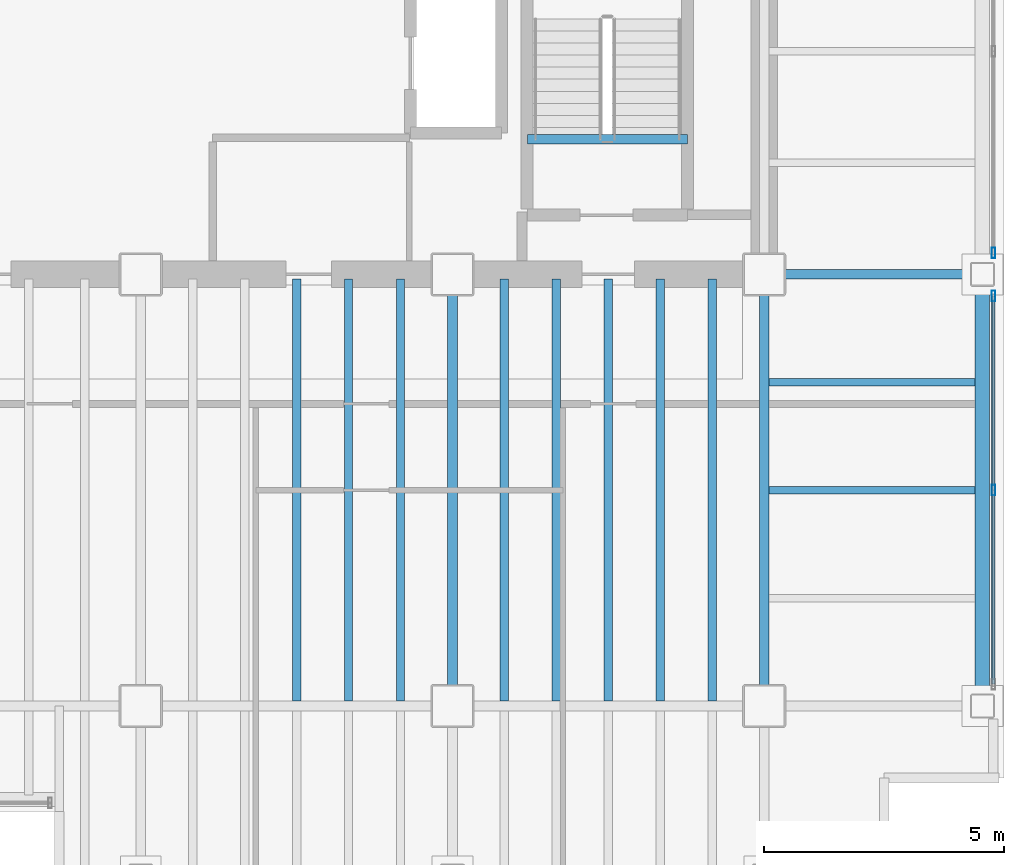
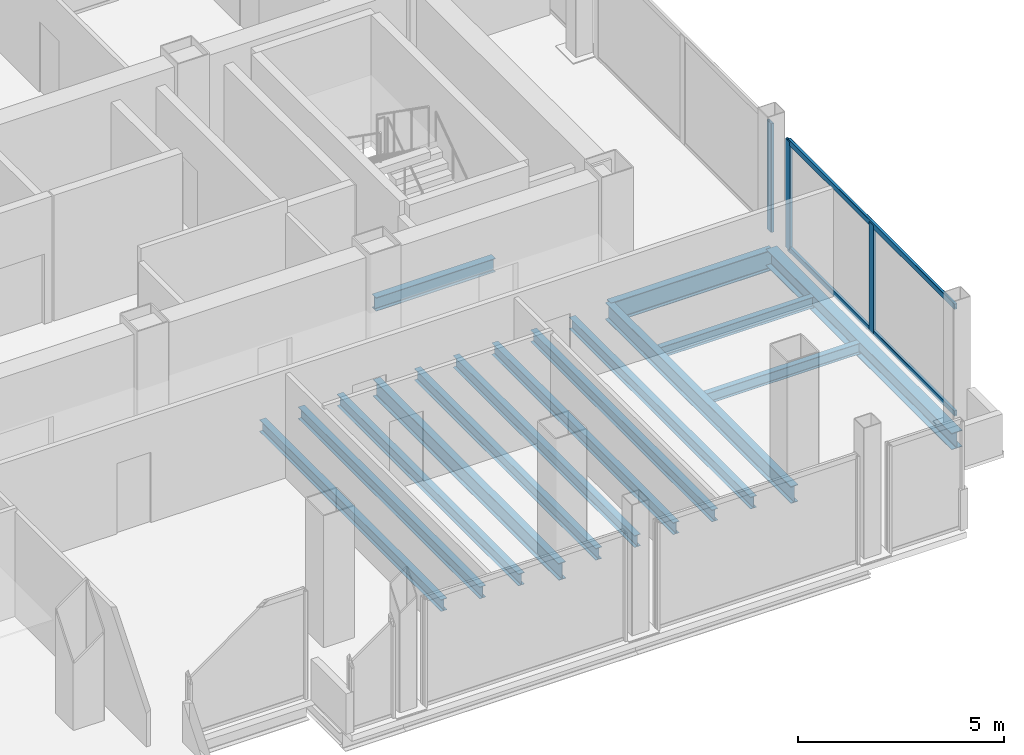
# One storey, part 12 of 19: 15 beams, 5 members, 2 elements without a shape of their own.
"""IFC4 building model written with IfcOpenShell, lengths in metres."""

from ifc_helpers import new_model, si_unit, direction, frame, origin, origin_2d, place, context, subcontext, project, spatial, hollow_rectangle, i_section, extrude, material, material_profile, profile_set, type_object, element, aggregate, save


model = new_model("IFC4")

# Units and contexts
model_context = context("Model", 3, precision=1e-05, world=origin(), true_north=direction((0.0, 1.0)))
body_context = subcontext(model_context, "Body", "Model", "MODEL_VIEW")
ifc_project = project(units=[si_unit("LENGTHUNIT", "METRE"), si_unit("AREAUNIT", "SQUARE_METRE"), si_unit("VOLUMEUNIT", "CUBIC_METRE"), si_unit("PLANEANGLEUNIT", "RADIAN"), si_unit("MASSUNIT", "GRAM", prefix="KILO")], contexts=[model_context])

# Site, building, storey
site_placement = place(None, origin())
site = spatial("IfcSite", under=ifc_project, at=site_placement, CompositionType="ELEMENT")
building_placement = place(site_placement, origin())
building = spatial("IfcBuilding", under=site, at=building_placement, Name="Noeulbin Bourse Tower", CompositionType="ELEMENT")
storey_placement = place(building_placement, frame((0.0, 0.0, 153.89990234375)))
storey = spatial("IfcBuildingStorey", under=building, at=storey_placement, Name="L38", CompositionType="ELEMENT", Elevation=153.89990234375)

# Beams
ifc_material_1 = material(Name="Steel S355", Category="steel")
ifc_material_profile_1 = material_profile(ifc_material_1, i_section(OverallWidth=0.199951171875, OverallDepth=0.5, WebThickness=0.010009765625, FlangeThickness=0.01611328125, FilletRadius=0.02001953125, at=origin_2d()), Name="H-500x200x10x16", Category="LoadBearing")
ifc_profile_set_1 = profile_set([ifc_material_profile_1], Name="Steel S355")
beam_type_1 = type_object("IfcBeamType", Name="BM-GRD-500", PredefinedType="USERDEFINED", material=ifc_profile_set_1)
for number, where, z_axis, x_axis, name in (
    (1, (37.5, 20.0, -0.429931640625), (0.0, 1.0, 0.0), (-1.0, 0.0, 0.0), "Tower Primary Girder NS L38-4.2"),
    (2, (44.0, 20.0, -0.429931640625), (0.0, 1.0, 0.0), (-1.0, 0.0, 0.0), "Tower Primary Girder NS L38-5.2"),
):
    element("IfcBeam", number, at=place(storey_placement, frame(where, z_axis=z_axis, x_axis=x_axis)), inside=storey, type_object=beam_type_1, Name=name, ObjectType="GIRDER", PredefinedType="USERDEFINED", context=body_context, shape_type="SweptSolid", body=[
        extrude(i_section(OverallWidth=0.199951171875, OverallDepth=0.5, WebThickness=0.010009765625, FlangeThickness=0.01611328125, FilletRadius=0.02001953125, at=origin_2d()), origin(), (0.0, 0.0, 1.0), 9.0),
    ])
ifc_material_profile_2 = material_profile(ifc_material_1, i_section(OverallWidth=0.199951171875, OverallDepth=0.60009765625, WebThickness=0.010986328125, FlangeThickness=0.01708984375, FilletRadius=0.02197265625, at=origin_2d()), Name="H-600x200x11x17", Category="LoadBearing")
ifc_profile_set_2 = profile_set([ifc_material_profile_2], Name="Steel S355")
beam_type_2 = type_object("IfcBeamType", Name="BM-GRD-600", PredefinedType="USERDEFINED", material=ifc_profile_set_2)
beam_1_placement = place(storey_placement, frame((44.0, 29.0, -0.47998046875), z_axis=(1.0, 0.0, 0.0), x_axis=(0.0, 1.0, 0.0)))
element("IfcBeam", 3, at=beam_1_placement, inside=storey, type_object=beam_type_2, Name="Tower Primary Girder EW L38-2.6", ObjectType="GIRDER", PredefinedType="USERDEFINED", context=body_context, shape_type="SweptSolid", body=[
    extrude(i_section(OverallWidth=0.199951171875, OverallDepth=0.60009765625, WebThickness=0.010986328125, FlangeThickness=0.01708984375, FilletRadius=0.02197265625, at=origin_2d()), origin(), (0.0, 0.0, 1.0), 4.550048828125),
])
ifc_material_profile_3 = material_profile(ifc_material_1, i_section(OverallWidth=0.159912109375, OverallDepth=0.320068359375, WebThickness=0.006591796875, FlangeThickness=0.010009765625, FilletRadius=0.012939453125, at=origin_2d()), Name="H-320x160x6.5x10", Category="LoadBearing")
ifc_profile_set_3 = profile_set([ifc_material_profile_3], Name="Steel S355")
beam_type_3 = type_object("IfcBeamType", Name="BM-JST-320", PredefinedType="JOIST", material=ifc_profile_set_3)
for number, where, z_axis, x_axis, name in (
    (4, (44.10009765625, 24.5, -0.33984375), (1.0, 0.0, 0.0), (0.0, 1.0, 0.0), "Wing Composite Joist L38-E74"),
    (5, (44.10009765625, 26.75, -0.33984375), (1.0, 0.0, 0.0), (0.0, 1.0, 0.0), "Wing Composite Joist L38-E75"),
):
    element("IfcBeam", number, at=place(storey_placement, frame(where, z_axis=z_axis, x_axis=x_axis)), inside=storey, type_object=beam_type_3, Name=name, PredefinedType="JOIST", context=body_context, shape_type="SweptSolid", body=[
        extrude(i_section(OverallWidth=0.159912109375, OverallDepth=0.320068359375, WebThickness=0.006591796875, FlangeThickness=0.010009765625, FilletRadius=0.012939453125, at=origin_2d()), origin(), (0.0, 0.0, 1.0), 4.2998046875),
    ])
ifc_material_profile_4 = material_profile(ifc_material_1, i_section(OverallWidth=0.175048828125, OverallDepth=0.35009765625, WebThickness=0.007080078125, FlangeThickness=0.010986328125, FilletRadius=0.013916015625, at=origin_2d()), Name="H-350x175x7x11", Category="LoadBearing")
ifc_profile_set_4 = profile_set([ifc_material_profile_4], Name="Steel S355")
beam_type_4 = type_object("IfcBeamType", Name="BM-JST-350", PredefinedType="JOIST", material=ifc_profile_set_4)
for number, where, z_axis, x_axis, name in (
    (6, (34.25, 20.10009765625, -0.35498046875), (0.0, 1.0, 0.0), (-1.0, 0.0, 0.0), "Tower Composite Joist L38-47"),
    (7, (35.333251953125, 20.10009765625, -0.35498046875), (0.0, 1.0, 0.0), (-1.0, 0.0, 0.0), "Tower Composite Joist L38-50"),
    (8, (36.416748046875, 20.10009765625, -0.35498046875), (0.0, 1.0, 0.0), (-1.0, 0.0, 0.0), "Tower Composite Joist L38-53"),
    (9, (38.583251953125, 20.10009765625, -0.35498046875), (0.0, 1.0, 0.0), (-1.0, 0.0, 0.0), "Tower Composite Joist L38-56"),
    (10, (39.666748046875, 20.10009765625, -0.35498046875), (0.0, 1.0, 0.0), (-1.0, 0.0, 0.0), "Tower Composite Joist L38-59"),
    (11, (40.75, 20.10009765625, -0.35498046875), (0.0, 1.0, 0.0), (-1.0, 0.0, 0.0), "Tower Composite Joist L38-62"),
    (12, (41.833251953125, 20.10009765625, -0.35498046875), (0.0, 1.0, 0.0), (-1.0, 0.0, 0.0), "Tower Composite Joist L38-65"),
    (13, (42.916748046875, 20.10009765625, -0.35498046875), (0.0, 1.0, 0.0), (-1.0, 0.0, 0.0), "Tower Composite Joist L38-68"),
):
    element("IfcBeam", number, at=place(storey_placement, frame(where, z_axis=z_axis, x_axis=x_axis)), inside=storey, type_object=beam_type_4, Name=name, PredefinedType="JOIST", context=body_context, shape_type="SweptSolid", body=[
        extrude(i_section(OverallWidth=0.175048828125, OverallDepth=0.35009765625, WebThickness=0.007080078125, FlangeThickness=0.010986328125, FilletRadius=0.013916015625, at=origin_2d()), origin(), (0.0, 0.0, 1.0), 8.7998046875),
    ])
ifc_material_profile_5 = material_profile(ifc_material_1, i_section(OverallWidth=0.199951171875, OverallDepth=0.39990234375, WebThickness=0.008056640625, FlangeThickness=0.012939453125, FilletRadius=0.01611328125, at=origin_2d()), Name="H-400x200x8x13", Category="LoadBearing")
ifc_profile_set_5 = profile_set([ifc_material_profile_5], Name="Steel S355")
beam_type_5 = type_object("IfcBeamType", Name="BM-SEC-400", PredefinedType="BEAM", material=ifc_profile_set_5)
beam_2_placement = place(storey_placement, frame((39.06005859375, 31.820068359375, -0.199951171875), z_axis=(1.0, 0.0, 0.0), x_axis=(0.0, 1.0, 0.0)))
element("IfcBeam", 14, at=beam_2_placement, inside=storey, type_object=beam_type_5, Name="Stair Threshold Trimmer Beam ST2-L38", PredefinedType="BEAM", context=body_context, shape_type="SweptSolid", body=[
    extrude(i_section(OverallWidth=0.199951171875, OverallDepth=0.39990234375, WebThickness=0.008056640625, FlangeThickness=0.012939453125, FilletRadius=0.01611328125, at=origin_2d()), origin(), (0.0, 0.0, 1.0), 3.33984375),
])
ifc_material_profile_6 = material_profile(ifc_material_1, i_section(OverallWidth=0.300048828125, OverallDepth=0.488037109375, WebThickness=0.010986328125, FlangeThickness=0.01806640625, FilletRadius=0.02197265625, at=origin_2d()), Name="H-488x300x11x18", Category="LoadBearing")
ifc_profile_set_6 = profile_set([ifc_material_profile_6], Name="Steel S355")
beam_type_6 = type_object("IfcBeamType", Name="BM-SPN-488", PredefinedType="SPANDREL", material=ifc_profile_set_6)
beam_3_placement = place(storey_placement, frame((48.550048828125, 20.0, -0.423828125), z_axis=(0.0, 1.0, 0.0), x_axis=(-1.0, 0.0, 0.0)))
element("IfcBeam", 15, at=beam_3_placement, inside=storey, type_object=beam_type_6, Name="East Spandrel L38-1", PredefinedType="SPANDREL", context=body_context, shape_type="SweptSolid", body=[
    extrude(i_section(OverallWidth=0.300048828125, OverallDepth=0.488037109375, WebThickness=0.010986328125, FlangeThickness=0.01806640625, FilletRadius=0.02197265625, at=origin_2d()), origin(), (0.0, 0.0, 1.0), 9.0),
])

# Curtain wall, members
ifc_material_2 = material(Name="Dark Tinted Triple Glazing", Category="glass")
curtain_wall_type = type_object("IfcCurtainWallType", Name="CW-SYS-3", PredefinedType="NOTDEFINED", material=ifc_material_2)
curtain_wall_1_placement = place(storey_placement, origin())
curtain_wall_1 = element("IfcCurtainWall", 16, at=curtain_wall_1_placement, inside=storey, type_object=curtain_wall_type, Name="Unitised Curtain Wall CW-L38-E-S1", PredefinedType="NOTDEFINED")
ifc_material_3 = material(Name="Anodised Aluminium 6063-T6", Category="aluminium")
ifc_material_profile_7 = material_profile(ifc_material_3, hollow_rectangle(XDim=0.074951171875, YDim=0.219970703125, WallThickness=0.0048828125, InnerFilletRadius=0.00244140625, OuterFilletRadius=0.0048828125, at=origin_2d()), Name="ALU-MULL-75x220x5", Category="LoadBearing")
ifc_profile_set_7 = profile_set([ifc_material_profile_7], Name="Anodised Aluminium 6063-T6")
member_type_1 = type_object("IfcMemberType", Name="CW-SYS-3-MUL", PredefinedType="MULLION", material=ifc_profile_set_7)
member_1_placement = place(storey_placement, frame((48.780029296875, 24.5, -0.02001953125), z_axis=(0.0, 0.0, 1.0), x_axis=(1.0, 0.0, 0.0)))
member_1 = element("IfcMember", 17, at=member_1_placement, type_object=member_type_1, Name="Curtain Wall Mullion CW-L38-E-S1-M01", PredefinedType="MULLION", context=body_context, shape_type="SweptSolid", body=[
    extrude(hollow_rectangle(XDim=0.074951171875, YDim=0.219970703125, WallThickness=0.0048828125, InnerFilletRadius=0.00244140625, OuterFilletRadius=0.0048828125, at=origin_2d()), origin(), (0.0, 0.0, 1.0), 3.22021484375),
])
member_2_placement = place(storey_placement, frame((48.780029296875, 28.550048828125, -0.02001953125), z_axis=(0.0, 0.0, 1.0), x_axis=(1.0, 0.0, 0.0)))
member_2 = element("IfcMember", 18, at=member_2_placement, type_object=member_type_1, Name="Curtain Wall Mullion CW-L38-E-S1-M02", PredefinedType="MULLION", context=body_context, shape_type="SweptSolid", body=[
    extrude(hollow_rectangle(XDim=0.074951171875, YDim=0.219970703125, WallThickness=0.0048828125, InnerFilletRadius=0.00244140625, OuterFilletRadius=0.0048828125, at=origin_2d()), origin(), (0.0, 0.0, 1.0), 3.22021484375),
])

# Curtain wall, member
curtain_wall_2_placement = place(storey_placement, origin())
curtain_wall_2 = element("IfcCurtainWall", 19, at=curtain_wall_2_placement, inside=storey, type_object=curtain_wall_type, Name="Unitised Curtain Wall CW-L38-E-S2", PredefinedType="NOTDEFINED")
member_3_placement = place(storey_placement, frame((48.780029296875, 29.449951171875, -0.02001953125), z_axis=(0.0, 0.0, 1.0), x_axis=(1.0, 0.0, 0.0)))
member_3 = element("IfcMember", 20, at=member_3_placement, type_object=member_type_1, Name="Curtain Wall Mullion CW-L38-E-S2-M00", PredefinedType="MULLION", context=body_context, shape_type="SweptSolid", body=[
    extrude(hollow_rectangle(XDim=0.074951171875, YDim=0.219970703125, WallThickness=0.0048828125, InnerFilletRadius=0.00244140625, OuterFilletRadius=0.0048828125, at=origin_2d()), origin(), (0.0, 0.0, 1.0), 3.22021484375),
])
aggregate(curtain_wall_2, [member_3])

# Member
ifc_material_profile_8 = material_profile(ifc_material_3, hollow_rectangle(XDim=0.074951171875, YDim=0.159912109375, WallThickness=0.0048828125, InnerFilletRadius=0.00244140625, OuterFilletRadius=0.0048828125, at=origin_2d()), Name="ALU-TRAN-75x160x5", Category="LoadBearing")
ifc_profile_set_8 = profile_set([ifc_material_profile_8], Name="Anodised Aluminium 6063-T6")
member_type_2 = type_object("IfcMemberType", Name="CW-SYS-3-TRN", PredefinedType="USERDEFINED", material=ifc_profile_set_8)
member_4_placement = place(storey_placement, frame((48.780029296875, 20.4599609375, 0.010009765625), z_axis=(0.0, 1.0, 0.0), x_axis=(-1.0, 0.0, 0.0)))
member_4 = element("IfcMember", 21, at=member_4_placement, type_object=member_type_2, Name="Curtain Wall Transom CW-L38-E-S1-T00", ObjectType="TRANSOM", PredefinedType="USERDEFINED", context=body_context, shape_type="SweptSolid", body=[
    extrude(hollow_rectangle(XDim=0.074951171875, YDim=0.159912109375, WallThickness=0.0048828125, InnerFilletRadius=0.00244140625, OuterFilletRadius=0.0048828125, at=origin_2d()), origin(), (0.0, 0.0, 1.0), 8.080078125),
])

member_5_placement = place(storey_placement, frame((48.780029296875, 20.4599609375, 3.170166015625), z_axis=(0.0, 1.0, 0.0), x_axis=(-1.0, 0.0, 0.0)))
member_5 = element("IfcMember", 22, at=member_5_placement, type_object=member_type_2, Name="Curtain Wall Transom CW-L38-E-S1-T01", ObjectType="TRANSOM", PredefinedType="USERDEFINED", context=body_context, shape_type="SweptSolid", body=[
    extrude(hollow_rectangle(XDim=0.074951171875, YDim=0.159912109375, WallThickness=0.0048828125, InnerFilletRadius=0.00244140625, OuterFilletRadius=0.0048828125, at=origin_2d()), origin(), (0.0, 0.0, 1.0), 8.080078125),
])

aggregate(curtain_wall_1, [member_1, member_2, member_4, member_5])

save(model, "model.ifc")
